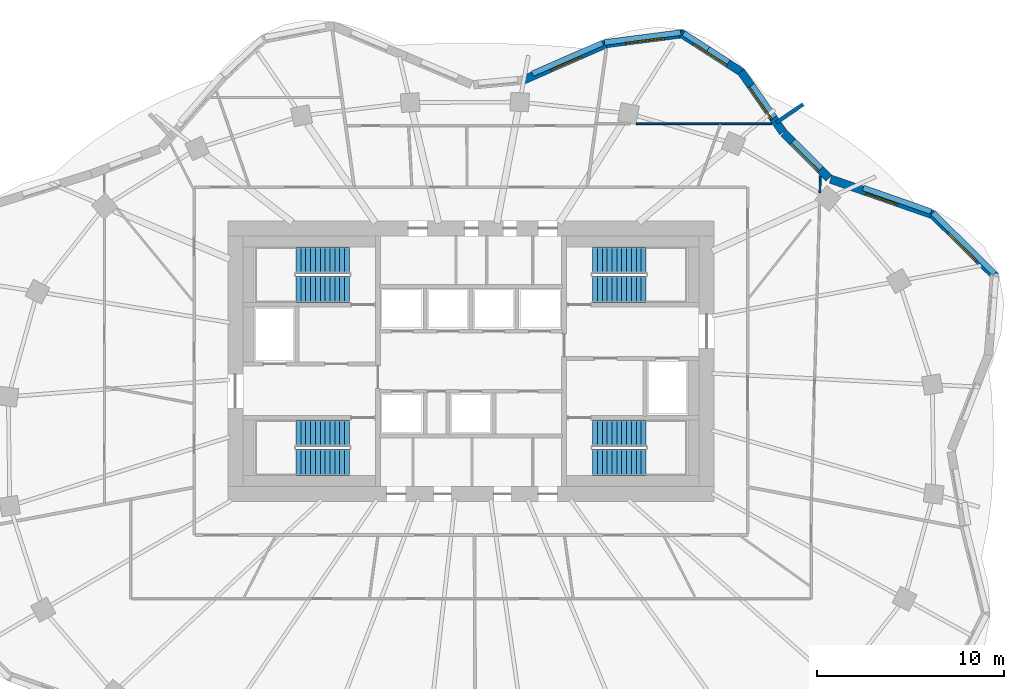
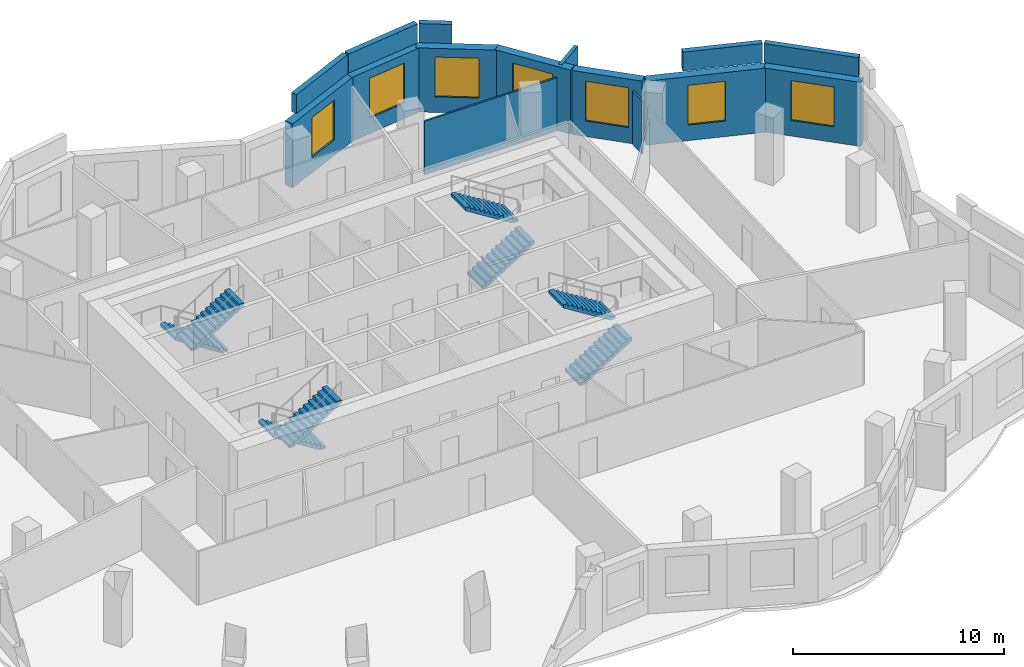
# One storey, part 8 of 9: 15 walls, 8 stair flights, 7 windows, 7 openings, 4 elements without a shape of their own.
"""IFC4 building model written with IfcOpenShell, lengths in metres."""

import ifcopenshell
import ifcopenshell.guid

model = None  # the IFC model being written
_history = None  # IfcOwnerHistory: only IFC2X3 demands one
_inside = {}  # id of a spatial element -> (the spatial element, [elements in it])
_under = {}  # id of a project, library or spatial element -> (it, [spatial elements below it])
_declared = {}  # id of a project -> (the project, [libraries it declares])
_typed = {}  # id of a type object -> (the type object, [elements of that type])
_made_of = {}  # id of a material, layer set ... -> (it, [elements and type objects made of it])


def new_model(schema):
    """Start an empty IFC model of exactly this schema.

    Asked for "IFC4X3", IfcOpenShell would pick the latest addendum, in which some entities
    have other attributes; the version numbers below select the first issue.
    IFC2X3 requires an IfcOwnerHistory on every rooted entity: one is made here for all.
    """
    global model, _history
    if schema == "IFC4X3":
        model = ifcopenshell.file(schema_version=(4, 3, 0, 0))
    else:
        model = ifcopenshell.file(schema=schema)
    _inside.clear()
    _under.clear()
    _declared.clear()
    _typed.clear()
    _made_of.clear()
    _history = None
    if model.schema == "IFC2X3":
        org = make("IfcOrganization", Name="unknown")
        user = make(
            "IfcPersonAndOrganization",
            ThePerson=make("IfcPerson", FamilyName="unknown"),
            TheOrganization=org,
        )
        app = make(
            "IfcApplication",
            ApplicationDeveloper=org,
            Version="unknown",
            ApplicationFullName="unknown",
            ApplicationIdentifier="unknown",
        )
        _history = make(
            "IfcOwnerHistory",
            OwningUser=user,
            OwningApplication=app,
            ChangeAction="ADDED",
            CreationDate=0,
        )
    return model


def make(cls, **values):
    """One entity of the class cls with the attributes given. An attribute that is None is left unset."""
    return model.create_entity(
        cls, **{name: value for name, value in values.items() if value is not None}
    )


def rooted(cls, **values):
    """An entity with a GlobalId (a new one), such as an element, a storey or a relation."""
    return make(cls, GlobalId=ifcopenshell.guid.new(), OwnerHistory=_history, **values)


def si_unit(unit_type, name, prefix=None):
    """IfcSIUnit, for example si_unit("LENGTHUNIT", "METRE", prefix="MILLI")."""
    return make("IfcSIUnit", UnitType=unit_type, Prefix=prefix, Name=name)


def assignment(units):
    """IfcUnitAssignment: the units of a project."""
    return None if units is None else make("IfcUnitAssignment", Units=units)


def point(xyz):
    """IfcCartesianPoint."""
    return None if xyz is None else make("IfcCartesianPoint", Coordinates=xyz)


def direction(xyz):
    """IfcDirection."""
    return None if xyz is None else make("IfcDirection", DirectionRatios=xyz)


def frame(location, z_axis=None, x_axis=None):
    """IfcAxis2Placement3D, a coordinate frame: its origin and axes. An axis left out is left unset."""
    return make(
        "IfcAxis2Placement3D",
        Location=point(location),
        Axis=direction(z_axis),
        RefDirection=direction(x_axis),
    )


def frame_2d(location, x_axis=None):
    """IfcAxis2Placement2D, a coordinate frame in the plane: its origin and x axis."""
    return make(
        "IfcAxis2Placement2D", Location=point(location), RefDirection=direction(x_axis)
    )


def origin():
    """The frame at (0, 0, 0) with its axes left unset."""
    return frame((0.0, 0.0, 0.0))


def place(relative_to, where):
    """IfcLocalPlacement: puts the frame where relative to a parent placement (None: the world)."""
    return make(
        "IfcLocalPlacement", PlacementRelTo=relative_to, RelativePlacement=where
    )


def context(
    kind, dimensions, precision=None, world=None, true_north=None, identifier=None
):
    """IfcGeometricRepresentationContext, for example the 3D "Model" context."""
    return make(
        "IfcGeometricRepresentationContext",
        ContextIdentifier=identifier,
        ContextType=kind,
        CoordinateSpaceDimension=dimensions,
        Precision=precision,
        WorldCoordinateSystem=world,
        TrueNorth=true_north,
    )


def subcontext(parent, identifier, kind, view, scale=None):
    """IfcGeometricRepresentationSubContext, for example "Body" below "Model"."""
    return make(
        "IfcGeometricRepresentationSubContext",
        ContextIdentifier=identifier,
        ContextType=kind,
        ParentContext=parent,
        TargetScale=scale,
        TargetView=view,
    )


def project(units=None, contexts=None):
    """IfcProject with its units and contexts."""
    return rooted(
        "IfcProject",
        Name="project",
        RepresentationContexts=contexts,
        UnitsInContext=assignment(units),
    )


def spatial(cls, under=None, at=None, **own):
    """A site, building, storey or space (cls), placed at a placement, below another one or the project."""
    s = rooted(cls, ObjectPlacement=at, **own)
    if under is not None:
        _under.setdefault(under.id(), (under, []))[1].append(s)
    return s


def polyline(points):
    """IfcPolyline through the points."""
    return make("IfcPolyline", Points=[point(p) for p in points])


def profile(cls, at=None, kind="AREA", **sizes):
    """A parametric profile (cls). Its sizes go by their IFC names, for example OverallWidth=200.0."""
    return make(cls, ProfileType=kind, Position=at, **sizes)


def rectangle(**sizes):
    """IfcRectangleProfileDef."""
    return profile("IfcRectangleProfileDef", **sizes)


def outline(outer, holes=None, kind="AREA"):
    """IfcArbitraryClosedProfileDef: a profile drawn as a closed curve; with holes, ...WithVoids."""
    if holes is None:
        return make("IfcArbitraryClosedProfileDef", ProfileType=kind, OuterCurve=outer)
    return make(
        "IfcArbitraryProfileDefWithVoids",
        ProfileType=kind,
        OuterCurve=outer,
        InnerCurves=holes,
    )


def extrude(swept, where, along, depth):
    """IfcExtrudedAreaSolid: the profile swept, set in the frame where, extruded along a direction by depth."""
    return make(
        "IfcExtrudedAreaSolid",
        SweptArea=swept,
        Position=where,
        ExtrudedDirection=direction(along),
        Depth=depth,
    )


def shape(context_of_items, identifier, shape_type, items):
    """IfcShapeRepresentation: the items that make up one representation, for example the "Body"."""
    return make(
        "IfcShapeRepresentation",
        ContextOfItems=context_of_items,
        RepresentationIdentifier=identifier,
        RepresentationType=shape_type,
        Items=items,
    )


def material(Name=None, Category=None):
    """IfcMaterial."""
    return make("IfcMaterial", Name=Name, Category=Category)


def layer(
    of_material, thickness, ventilated=None, Name=None, Category=None, Priority=None
):
    """IfcMaterialLayer: one layer of a wall or slab, of a material (None: an air gap)."""
    return make(
        "IfcMaterialLayer",
        Material=of_material,
        LayerThickness=thickness,
        IsVentilated=ventilated,
        Name=Name,
        Category=Category,
        Priority=Priority,
    )


def layer_set(layers, Name=None):
    """IfcMaterialLayerSet."""
    return make("IfcMaterialLayerSet", MaterialLayers=layers, LayerSetName=Name)


def made_of(thing, what):
    """Note that an element or type object is made of a material, layer set ...; save() writes the relation."""
    if what is not None:
        _made_of.setdefault(what.id(), (what, []))[1].append(thing)
    return thing


def type_object(cls, material=None, **own):
    """A type object (cls), such as IfcWallType, which elements share."""
    return made_of(rooted(cls, **own), material)


def element(
    cls,
    number,
    at=None,
    inside=None,
    cuts=None,
    type_object=None,
    material=None,
    context=None,
    identifier="Body",
    shape_type=None,
    held_by="IfcProductDefinitionShape",
    body=None,
    shapes=None,
    **own,
):
    """One element of the class cls, such as IfcWall. Its Tag is "e" and its number.

    at: its placement. inside: the storey or other place that contains it. cuts: it is an
    opening in that element (IfcRelVoidsElement). A single representation is given by context,
    identifier, shape_type and body (its items); several are given by shapes. held_by: the class
    of the entity that holds the representations. save() writes the other relations.
    """
    e = rooted(cls, Tag="e%d" % number, ObjectPlacement=at, **own)
    if body is not None:
        shapes = [shape(context, identifier, shape_type, body)]
    if shapes is not None:
        e.Representation = make(held_by, Representations=shapes)
    if inside is not None:
        _inside.setdefault(inside.id(), (inside, []))[1].append(e)
    if cuts is not None:
        rooted(
            "IfcRelVoidsElement", RelatingBuildingElement=cuts, RelatedOpeningElement=e
        )
    if type_object is not None:
        _typed.setdefault(type_object.id(), (type_object, []))[1].append(e)
    return made_of(e, material)


def fill(opening, filler):
    """IfcRelFillsElement: the door or window that sits in an opening."""
    return rooted(
        "IfcRelFillsElement",
        RelatingOpeningElement=opening,
        RelatedBuildingElement=filler,
    )


def aggregate(whole, parts):
    """IfcRelAggregates: a whole, such as a stair, and the parts it consists of."""
    return rooted("IfcRelAggregates", RelatingObject=whole, RelatedObjects=parts)


def save(model, path):
    """Write the relations noted so far, then the file.

    IfcRelAggregates (storeys below a building ...), IfcRelContainedInSpatialStructure (elements
    in a storey), IfcRelDefinesByType, IfcRelAssociatesMaterial and IfcRelDeclares: one each for
    every whole, place, type object, material and project.
    """
    for whole, parts in _under.values():
        aggregate(whole, parts)
    for where, things in _inside.values():
        rooted(
            "IfcRelContainedInSpatialStructure",
            RelatedElements=things,
            RelatingStructure=where,
        )
    for kind, things in _typed.values():
        rooted("IfcRelDefinesByType", RelatedObjects=things, RelatingType=kind)
    for what, things in _made_of.values():
        rooted("IfcRelAssociatesMaterial", RelatedObjects=things, RelatingMaterial=what)
    for by, libraries in _declared.values():
        rooted("IfcRelDeclares", RelatingContext=by, RelatedDefinitions=libraries)
    model.write(path)


model = new_model("IFC4")

# Units and contexts
model_context = context("Model", 3, precision=1e-05, world=origin(), true_north=direction((0.0, 1.0)))
body_context = subcontext(model_context, "Body", "Model", "MODEL_VIEW")
ifc_project = project(units=[si_unit("LENGTHUNIT", "METRE"), si_unit("AREAUNIT", "SQUARE_METRE"), si_unit("VOLUMEUNIT", "CUBIC_METRE"), si_unit("PLANEANGLEUNIT", "RADIAN"), si_unit("MASSUNIT", "GRAM", prefix="KILO")], contexts=[model_context])

# Site, building, storey
site_placement = place(None, origin())
site = spatial("IfcSite", under=ifc_project, at=site_placement, CompositionType="ELEMENT")
building_placement = place(site_placement, origin())
building = spatial("IfcBuilding", under=site, at=building_placement, Name="Rubra Terraces Tower", CompositionType="ELEMENT")
storey_placement = place(building_placement, frame((0.0, 0.0, 221.39990234375)))
storey = spatial("IfcBuildingStorey", under=building, at=storey_placement, Name="L54", CompositionType="ELEMENT", Elevation=221.39990234375)

# Wall, opening, window
ifc_material_1 = material(Name="Brick masonry red-brown", Category="masonry")
ifc_layer_1 = layer(ifc_material_1, 0.449951171875)
ifc_layer_set_1 = layer_set([ifc_layer_1], Name="Brick masonry red-brown")
wall_type_1 = type_object("IfcWallType", Name="Brick facade wall 450", PredefinedType="SOLIDWALL", material=ifc_layer_set_1)
wall_1_placement = place(storey_placement, frame((28.06787109375, 9.010986328125, 0.0), z_axis=(0.0, 0.0, 1.0), x_axis=(-0.711293453435, 0.702895172199, 0.0)))
wall_1 = element("IfcWall", 1, at=wall_1_placement, inside=storey, type_object=wall_type_1, Name="Facade wall L54 bay 3", PredefinedType="SOLIDWALL", context=body_context, shape_type="SweptSolid", body=[
    extrude(rectangle(XDim=4.767578125, YDim=0.449951171875, at=frame_2d((2.3837890625, 0.0))), origin(), (0.0, 0.0, 1.0), 3.7001953125),
])
opening_1_placement = place(wall_1_placement, frame((1.333740234375, 0.0, 0.89990234375)))
opening_1 = element("IfcOpeningElement", 2, at=opening_1_placement, cuts=wall_1, Name="Opening W1B", PredefinedType="OPENING", context=body_context, shape_type="SweptSolid", body=[
    extrude(rectangle(XDim=2.10009765625, YDim=2.300048828125, at=frame_2d((1.050048828125, 1.14990234375))), frame((0.0, 0.23486328125, 0.0), z_axis=(0.0, -1.0, 0.0), x_axis=(1.0, 0.0, 0.0)), (0.0, 0.0, 1.0), 0.469970703125),
])
ifc_material_2 = material(Name="Clear glass in aluminium frame", Category="aluminium")
window_type_1 = type_object("IfcWindowType", Name="Fixed deep-set window tall storey 2100 x 2300", PartitioningType="SINGLE_PANEL", PredefinedType="WINDOW", material=ifc_material_2)
window_1_placement = place(opening_1_placement, origin())
window_1 = element("IfcWindow", 3, at=window_1_placement, inside=storey, type_object=window_type_1, Name="Window L54 bay 3", OverallHeight=2.300048828125, OverallWidth=2.10009765625, PartitioningType="SINGLE_PANEL", PredefinedType="WINDOW", context=body_context, shape_type="SweptSolid", body=[
    extrude(rectangle(XDim=2.10009765625, YDim=2.300048828125, at=frame_2d((1.050048828125, 1.14990234375))), frame((0.0, 0.135009765625, 0.0), z_axis=(0.0, -1.0, 0.0), x_axis=(1.0, 0.0, 0.0)), (0.0, 0.0, 1.0), 0.06005859375),
])
fill(opening_1, window_1)

wall_2_placement = place(storey_placement, frame((24.760986328125, 12.309814453125, 0.0), z_axis=(0.0, 0.0, 1.0), x_axis=(-0.944397305248, 0.328806523414, 0.0)))
wall_2 = element("IfcWall", 4, at=wall_2_placement, inside=storey, type_object=wall_type_1, Name="Facade wall L54 bay 4", PredefinedType="SOLIDWALL", context=body_context, shape_type="SweptSolid", body=[
    extrude(rectangle(XDim=5.862060546875, YDim=0.449951171875, at=frame_2d((2.93115234375, 0.0))), origin(), (0.0, 0.0, 1.0), 3.7001953125),
])
opening_2_placement = place(wall_2_placement, frame((2.031005859375, 0.0, 0.89990234375)))
opening_2 = element("IfcOpeningElement", 5, at=opening_2_placement, cuts=wall_2, Name="Opening W6B", PredefinedType="OPENING", context=body_context, shape_type="SweptSolid", body=[
    extrude(rectangle(XDim=1.800048828125, YDim=2.300048828125, at=frame_2d((0.89990234375, 1.14990234375))), frame((0.0, 0.23486328125, 0.0), z_axis=(0.0, -1.0, 0.0), x_axis=(1.0, 0.0, 0.0)), (0.0, 0.0, 1.0), 0.469970703125),
])
window_type_2 = type_object("IfcWindowType", Name="Fixed deep-set window at wind fin tall storey 1800 x 2300", PartitioningType="SINGLE_PANEL", PredefinedType="WINDOW", material=ifc_material_2)
window_2_placement = place(opening_2_placement, origin())
window_2 = element("IfcWindow", 6, at=window_2_placement, inside=storey, type_object=window_type_2, Name="Window L54 bay 4", OverallHeight=2.300048828125, OverallWidth=1.800048828125, PartitioningType="SINGLE_PANEL", PredefinedType="WINDOW", context=body_context, shape_type="SweptSolid", body=[
    extrude(rectangle(XDim=1.800048828125, YDim=2.300048828125, at=frame_2d((0.89990234375, 1.14990234375))), frame((0.0, 0.135009765625, 0.0), z_axis=(0.0, -1.0, 0.0), x_axis=(1.0, 0.0, 0.0)), (0.0, 0.0, 1.0), 0.06005859375),
])
fill(opening_2, window_2)

wall_3_placement = place(storey_placement, frame((19.145263671875, 14.285400390625, 0.0), z_axis=(0.0, 0.0, 1.0), x_axis=(-0.707427521052, 0.706785895769, 0.0)))
wall_3 = element("IfcWall", 7, at=wall_3_placement, inside=storey, type_object=wall_type_1, Name="Facade wall L54 bay 5", PredefinedType="SOLIDWALL", context=body_context, shape_type="SweptSolid", body=[
    extrude(rectangle(XDim=3.424560546875, YDim=0.449951171875, at=frame_2d((1.71240234375, 0.0))), origin(), (0.0, 0.0, 1.0), 3.7001953125),
])
opening_3_placement = place(wall_3_placement, frame((0.662353515625, 0.0, 0.89990234375)))
opening_3 = element("IfcOpeningElement", 8, at=opening_3_placement, cuts=wall_3, Name="Opening W1B", PredefinedType="OPENING", context=body_context, shape_type="SweptSolid", body=[
    extrude(rectangle(XDim=2.10009765625, YDim=2.300048828125, at=frame_2d((1.050048828125, 1.14990234375))), frame((0.0, 0.23486328125, 0.0), z_axis=(0.0, -1.0, 0.0), x_axis=(1.0, 0.0, 0.0)), (0.0, 0.0, 1.0), 0.469970703125),
])
window_3_placement = place(opening_3_placement, origin())
window_3 = element("IfcWindow", 9, at=window_3_placement, inside=storey, type_object=window_type_1, Name="Window L54 bay 5", OverallHeight=2.300048828125, OverallWidth=2.10009765625, PartitioningType="SINGLE_PANEL", PredefinedType="WINDOW", context=body_context, shape_type="SweptSolid", body=[
    extrude(rectangle(XDim=2.10009765625, YDim=2.300048828125, at=frame_2d((1.050048828125, 1.14990234375))), frame((0.0, 0.135009765625, 0.0), z_axis=(0.0, -1.0, 0.0), x_axis=(1.0, 0.0, 0.0)), (0.0, 0.0, 1.0), 0.06005859375),
])
fill(opening_3, window_3)

wall_4_placement = place(storey_placement, frame((16.695068359375, 16.73681640625, 0.0), z_axis=(0.0, 0.0, 1.0), x_axis=(-0.569652445465, 0.821885692402, 0.0)))
wall_4 = element("IfcWall", 10, at=wall_4_placement, inside=storey, type_object=wall_type_1, Name="Facade wall L54 bay 6", PredefinedType="SOLIDWALL", context=body_context, shape_type="SweptSolid", body=[
    extrude(rectangle(XDim=3.958740234375, YDim=0.449951171875, at=frame_2d((1.9794921875, 0.0))), origin(), (0.0, 0.0, 1.0), 3.7001953125),
])
opening_4_placement = place(wall_4_placement, frame((0.929443359375, 0.0, 0.89990234375)))
opening_4 = element("IfcOpeningElement", 11, at=opening_4_placement, cuts=wall_4, Name="Opening W1B", PredefinedType="OPENING", context=body_context, shape_type="SweptSolid", body=[
    extrude(rectangle(XDim=2.10009765625, YDim=2.300048828125, at=frame_2d((1.050048828125, 1.14990234375))), frame((0.0, 0.23486328125, 0.0), z_axis=(0.0, -1.0, 0.0), x_axis=(1.0, 0.0, 0.0)), (0.0, 0.0, 1.0), 0.469970703125),
])
window_4_placement = place(opening_4_placement, origin())
window_4 = element("IfcWindow", 12, at=window_4_placement, inside=storey, type_object=window_type_1, Name="Window L54 bay 6", OverallHeight=2.300048828125, OverallWidth=2.10009765625, PartitioningType="SINGLE_PANEL", PredefinedType="WINDOW", context=body_context, shape_type="SweptSolid", body=[
    extrude(rectangle(XDim=2.10009765625, YDim=2.300048828125, at=frame_2d((1.050048828125, 1.14990234375))), frame((0.0, 0.135009765625, 0.0), z_axis=(0.0, -1.0, 0.0), x_axis=(1.0, 0.0, 0.0)), (0.0, 0.0, 1.0), 0.06005859375),
])
fill(opening_4, window_4)

wall_5_placement = place(storey_placement, frame((14.499267578125, 19.934814453125, 0.0), z_axis=(0.0, 0.0, 1.0), x_axis=(-0.84080910763, 0.541331732422, 0.0)))
wall_5 = element("IfcWall", 13, at=wall_5_placement, inside=storey, type_object=wall_type_1, Name="Facade wall L54 bay 7", PredefinedType="SOLIDWALL", context=body_context, shape_type="SweptSolid", body=[
    extrude(rectangle(XDim=3.91064453125, YDim=0.449951171875, at=frame_2d((1.955322265625, 0.0))), origin(), (0.0, 0.0, 1.0), 3.7001953125),
])
opening_5_placement = place(wall_5_placement, frame((0.9052734375, 0.0, 0.89990234375)))
opening_5 = element("IfcOpeningElement", 14, at=opening_5_placement, cuts=wall_5, Name="Opening W1B", PredefinedType="OPENING", context=body_context, shape_type="SweptSolid", body=[
    extrude(rectangle(XDim=2.10009765625, YDim=2.300048828125, at=frame_2d((1.050048828125, 1.14990234375))), frame((0.0, 0.23486328125, 0.0), z_axis=(0.0, -1.0, 0.0), x_axis=(1.0, 0.0, 0.0)), (0.0, 0.0, 1.0), 0.469970703125),
])
window_5_placement = place(opening_5_placement, origin())
window_5 = element("IfcWindow", 15, at=window_5_placement, inside=storey, type_object=window_type_1, Name="Window L54 bay 7", OverallHeight=2.300048828125, OverallWidth=2.10009765625, PartitioningType="SINGLE_PANEL", PredefinedType="WINDOW", context=body_context, shape_type="SweptSolid", body=[
    extrude(rectangle(XDim=2.10009765625, YDim=2.300048828125, at=frame_2d((1.050048828125, 1.14990234375))), frame((0.0, 0.135009765625, 0.0), z_axis=(0.0, -1.0, 0.0), x_axis=(1.0, 0.0, 0.0)), (0.0, 0.0, 1.0), 0.06005859375),
])
fill(opening_5, window_5)

wall_6_placement = place(storey_placement, frame((11.36181640625, 22.017822265625, 0.0), z_axis=(0.0, 0.0, 1.0), x_axis=(-0.991724958022, -0.128380713645, 0.0)))
wall_6 = element("IfcWall", 16, at=wall_6_placement, inside=storey, type_object=wall_type_1, Name="Facade wall L54 bay 8", PredefinedType="SOLIDWALL", context=body_context, shape_type="SweptSolid", body=[
    extrude(rectangle(XDim=4.181884765625, YDim=0.449951171875, at=frame_2d((2.0908203125, 0.0))), origin(), (0.0, 0.0, 1.0), 3.7001953125),
])
opening_6_placement = place(wall_6_placement, frame((1.041015625, 0.0, 0.89990234375)))
opening_6 = element("IfcOpeningElement", 17, at=opening_6_placement, cuts=wall_6, Name="Opening W1B", PredefinedType="OPENING", context=body_context, shape_type="SweptSolid", body=[
    extrude(rectangle(XDim=2.10009765625, YDim=2.300048828125, at=frame_2d((1.050048828125, 1.14990234375))), frame((0.0, 0.23486328125, 0.0), z_axis=(0.0, -1.0, 0.0), x_axis=(1.0, 0.0, 0.0)), (0.0, 0.0, 1.0), 0.469970703125),
])
window_6_placement = place(opening_6_placement, origin())
window_6 = element("IfcWindow", 18, at=window_6_placement, inside=storey, type_object=window_type_1, Name="Window L54 bay 8", OverallHeight=2.300048828125, OverallWidth=2.10009765625, PartitioningType="SINGLE_PANEL", PredefinedType="WINDOW", context=body_context, shape_type="SweptSolid", body=[
    extrude(rectangle(XDim=2.10009765625, YDim=2.300048828125, at=frame_2d((1.050048828125, 1.14990234375))), frame((0.0, 0.135009765625, 0.0), z_axis=(0.0, -1.0, 0.0), x_axis=(1.0, 0.0, 0.0)), (0.0, 0.0, 1.0), 0.06005859375),
])
fill(opening_6, window_6)

wall_7_placement = place(storey_placement, frame((7.27587890625, 21.498046875, 0.0), z_axis=(0.0, 0.0, 1.0), x_axis=(-0.915872941312, -0.401468249519, 0.0)))
wall_7 = element("IfcWall", 19, at=wall_7_placement, inside=storey, type_object=wall_type_1, Name="Facade wall L54 bay 9", PredefinedType="SOLIDWALL", context=body_context, shape_type="SweptSolid", body=[
    extrude(rectangle(XDim=4.870361328125, YDim=0.449951171875, at=frame_2d((2.43505859375, 0.0))), origin(), (0.0, 0.0, 1.0), 3.7001953125),
])
opening_7_placement = place(wall_7_placement, frame((1.535400390625, 0.0, 0.89990234375)))
opening_7 = element("IfcOpeningElement", 20, at=opening_7_placement, cuts=wall_7, Name="Opening W6B", PredefinedType="OPENING", context=body_context, shape_type="SweptSolid", body=[
    extrude(rectangle(XDim=1.800048828125, YDim=2.300048828125, at=frame_2d((0.89990234375, 1.14990234375))), frame((0.0, 0.23486328125, 0.0), z_axis=(0.0, -1.0, 0.0), x_axis=(1.0, 0.0, 0.0)), (0.0, 0.0, 1.0), 0.469970703125),
])
window_7_placement = place(opening_7_placement, origin())
window_7 = element("IfcWindow", 21, at=window_7_placement, inside=storey, type_object=window_type_2, Name="Window L54 bay 9", OverallHeight=2.300048828125, OverallWidth=1.800048828125, PartitioningType="SINGLE_PANEL", PredefinedType="WINDOW", context=body_context, shape_type="SweptSolid", body=[
    extrude(rectangle(XDim=1.800048828125, YDim=2.300048828125, at=frame_2d((0.89990234375, 1.14990234375))), frame((0.0, 0.135009765625, 0.0), z_axis=(0.0, -1.0, 0.0), x_axis=(1.0, 0.0, 0.0)), (0.0, 0.0, 1.0), 0.06005859375),
])
fill(opening_7, window_7)

# Walls
ifc_layer_2 = layer(ifc_material_1, 0.300048828125)
ifc_layer_set_2 = layer_set([ifc_layer_2], Name="Brick masonry red-brown")
wall_type_2 = type_object("IfcWallType", Name="Brick parapet 300", PredefinedType="PARAPET", material=ifc_layer_set_2)
wall_8_placement = place(storey_placement, frame((28.00048828125, 9.18310546875, 3.900146484375), z_axis=(0.0, 0.0, 1.0), x_axis=(-0.711291435321, 0.702897214419, 0.0)))
element("IfcWall", 22, at=wall_8_placement, inside=storey, type_object=wall_type_2, Name="Parapet L54 bay 3", PredefinedType="PARAPET", context=body_context, shape_type="SweptSolid", body=[
    extrude(rectangle(XDim=4.62451171875, YDim=0.300048828125, at=frame_2d((2.312255859375, 0.0))), origin(), (0.0, 0.0, 1.0), 1.099853515625),
])
wall_9_placement = place(storey_placement, frame((24.605224609375, 12.49951171875, 3.900146484375), z_axis=(0.0, 0.0, 1.0), x_axis=(-0.944373295981, 0.328875474668, 0.0)))
element("IfcWall", 23, at=wall_9_placement, inside=storey, type_object=wall_type_2, Name="Parapet L54 bay 4", PredefinedType="PARAPET", context=body_context, shape_type="SweptSolid", body=[
    extrude(rectangle(XDim=3.84228515625, YDim=0.300048828125, at=frame_2d((1.921142578125, 0.0))), origin(), (0.0, 0.0, 1.0), 1.099853515625),
])
wall_10_placement = place(storey_placement, frame((12.680419921875, 21.195068359375, 3.900146484375), z_axis=(0.0, 0.0, 1.0), x_axis=(-0.840806975541, 0.541335044018, 0.0)))
element("IfcWall", 24, at=wall_10_placement, inside=storey, type_object=wall_type_2, Name="Parapet L54 bay 7", PredefinedType="PARAPET", context=body_context, shape_type="SweptSolid", body=[
    extrude(rectangle(XDim=1.5595703125, YDim=0.300048828125, at=frame_2d((0.77978515625, 0.0))), origin(), (0.0, 0.0, 1.0), 1.099853515625),
])
wall_11_placement = place(storey_placement, frame((11.2138671875, 22.07421875, 3.900146484375), z_axis=(0.0, 0.0, 1.0), x_axis=(-0.991727449614, -0.128361464939, 0.0)))
element("IfcWall", 25, at=wall_11_placement, inside=storey, type_object=wall_type_2, Name="Parapet L54 bay 8", PredefinedType="PARAPET", context=body_context, shape_type="SweptSolid", body=[
    extrude(rectangle(XDim=4.110107421875, YDim=0.300048828125, at=frame_2d((2.05517578125, 0.0))), origin(), (0.0, 0.0, 1.0), 1.099853515625),
])
wall_12_placement = place(storey_placement, frame((7.039306640625, 21.519287109375, 3.900146484375), z_axis=(0.0, 0.0, 1.0), x_axis=(-0.915890739732, -0.401427643384, 0.0)))
element("IfcWall", 26, at=wall_12_placement, inside=storey, type_object=wall_type_2, Name="Parapet L54 bay 9", PredefinedType="PARAPET", context=body_context, shape_type="SweptSolid", body=[
    extrude(rectangle(XDim=4.1015625, YDim=0.300048828125, at=frame_2d((2.05078125, 0.0))), origin(), (0.0, 0.0, 1.0), 1.099853515625),
])
ifc_layer_3 = layer(ifc_material_1, 0.199951171875)
ifc_layer_set_3 = layer_set([ifc_layer_3], Name="Brick masonry red-brown")
wall_type_3 = type_object("IfcWallType", Name="Brick wind fin 200", PredefinedType="SOLIDWALL", material=ifc_layer_set_3)
wall_13_placement = place(storey_placement, frame((16.322021484375, 17.2529296875, 0.0), z_axis=(0.0, 0.0, 1.0), x_axis=(0.824440606412, 0.565948483962, 0.0)))
element("IfcWall", 27, at=wall_13_placement, inside=storey, type_object=wall_type_3, Name="Wind fin L54 4", PredefinedType="SOLIDWALL", context=body_context, shape_type="SweptSolid", body=[
    extrude(rectangle(XDim=1.75, YDim=0.199951171875, at=frame_2d((0.875, 0.0))), origin(), (0.0, 0.0, 1.0), 3.7001953125),
])
ifc_material_3 = material(Name="Plasterboard on steel stud", Category="steel")
ifc_layer_4 = layer(ifc_material_3, 0.10009765625)
ifc_layer_set_4 = layer_set([ifc_layer_4], Name="Plasterboard on steel stud")
wall_type_4 = type_object("IfcWallType", Name="ROOM PARTITION 100", PredefinedType="PARTITIONING", material=ifc_layer_set_4)
wall_14_placement = place(storey_placement, frame((8.84521484375, 17.199951171875, 0.0), z_axis=(0.0, 0.0, 1.0), x_axis=(1.0, 0.0, 0.0)))
element("IfcWall", 28, at=wall_14_placement, inside=storey, type_object=wall_type_4, Name="PARTITION", PredefinedType="PARTITIONING", context=body_context, shape_type="SweptSolid", body=[
    extrude(rectangle(XDim=7.23095703125, YDim=0.10009765625, at=frame_2d((3.615478515625, 0.0))), origin(), (0.0, 0.0, 1.0), 3.083984375),
])
wall_15_placement = place(storey_placement, frame((18.6806640625, 14.403564453125, 0.0), z_axis=(0.0, 0.0, 1.0), x_axis=(-0.027737168864, -0.999615250716, 0.0)))
element("IfcWall", 29, at=wall_15_placement, inside=storey, type_object=wall_type_4, Name="PARTITION", PredefinedType="PARTITIONING", context=body_context, shape_type="SweptSolid", body=[
    extrude(rectangle(XDim=0.906494140625, YDim=0.10009765625, at=frame_2d((0.453125, 0.0))), origin(), (0.0, 0.0, 1.0), 3.083984375),
])

# Stair, stair flights
ifc_material_4 = material(Name="Concrete C40", Category="concrete")
stair_type = type_object("IfcStairType", Name="Core stair 1400", PredefinedType="HALF_TURN_STAIR", material=ifc_material_4)
stair_1_placement = place(storey_placement, origin())
stair_1 = element("IfcStair", 30, at=stair_1_placement, inside=storey, type_object=stair_type, Name="L54 Exit stair S1", PredefinedType="HALF_TURN_STAIR")
stair_flight_type = type_object("IfcStairFlightType", Name="Core stair flight 1400", PredefinedType="STRAIGHT", material=ifc_material_4)
stair_flight_1_placement = place(storey_placement, frame((-6.5, 0.64990234375, 0.0), z_axis=(0.0, 0.0, 1.0), x_axis=(-1.0, 0.0, 0.0)))
stair_flight_1 = element("IfcStairFlight", 31, at=stair_flight_1_placement, type_object=stair_flight_type, Name="S1 flight 1", NumberOfRisers=12, NumberOfTreads=11, PredefinedType="STRAIGHT", RiserHeight=0.1625, TreadLength=0.26, context=body_context, shape_type="SweptSolid", body=[
    extrude(outline(polyline([(0.0, 0.0), (0.0, 0.16259765625), (0.260009765625, 0.16259765625), (0.260009765625, 0.324951171875), (0.52001953125, 0.324951171875), (0.52001953125, 0.487548828125), (0.780029296875, 0.487548828125), (0.780029296875, 0.64990234375), (1.0400390625, 0.64990234375), (1.0400390625, 0.8125), (1.300048828125, 0.8125), (1.300048828125, 0.97509765625), (1.56005859375, 0.97509765625), (1.56005859375, 1.137451171875), (1.820068359375, 1.137451171875), (1.820068359375, 1.300048828125), (2.080078125, 1.300048828125), (2.080078125, 1.46240234375), (2.340087890625, 1.46240234375), (2.340087890625, 1.625), (2.60009765625, 1.625), (2.60009765625, 1.78759765625), (2.860107421875, 1.78759765625), (2.860107421875, 1.949951171875), (2.860107421875, 1.61083984375), (0.28271484375, 0.0), (0.0, 0.0)])), frame((0.0, 0.699951171875, 0.0), z_axis=(0.0, -1.0, 0.0), x_axis=(1.0, 0.0, 0.0)), (0.0, 0.0, 1.0), 1.39990234375),
])
stair_flight_2_placement = place(storey_placement, frame((-9.360107421875, -0.89990234375, 1.9501953125), z_axis=(0.0, 0.0, 1.0), x_axis=(1.0, 0.0, 0.0)))
stair_flight_2 = element("IfcStairFlight", 32, at=stair_flight_2_placement, type_object=stair_flight_type, Name="S1 flight 2", NumberOfRisers=12, NumberOfTreads=11, PredefinedType="STRAIGHT", RiserHeight=0.1625, TreadLength=0.26, context=body_context, shape_type="SweptSolid", body=[
    extrude(outline(polyline([(0.0, 0.0), (0.0, 0.16259765625), (0.260009765625, 0.16259765625), (0.260009765625, 0.324951171875), (0.52001953125, 0.324951171875), (0.52001953125, 0.487548828125), (0.780029296875, 0.487548828125), (0.780029296875, 0.64990234375), (1.0400390625, 0.64990234375), (1.0400390625, 0.8125), (1.300048828125, 0.8125), (1.300048828125, 0.97509765625), (1.56005859375, 0.97509765625), (1.56005859375, 1.137451171875), (1.820068359375, 1.137451171875), (1.820068359375, 1.300048828125), (2.080078125, 1.300048828125), (2.080078125, 1.46240234375), (2.340087890625, 1.46240234375), (2.340087890625, 1.625), (2.60009765625, 1.625), (2.60009765625, 1.78759765625), (2.860107421875, 1.78759765625), (2.860107421875, 1.949951171875), (2.860107421875, 1.61083984375), (0.28271484375, 0.0), (0.0, 0.0)])), frame((0.0, 0.699951171875, 0.0), z_axis=(0.0, -1.0, 0.0), x_axis=(1.0, 0.0, 0.0)), (0.0, 0.0, 1.0), 1.39990234375),
])
aggregate(stair_1, [stair_flight_1, stair_flight_2])

stair_2_placement = place(storey_placement, origin())
stair_2 = element("IfcStair", 33, at=stair_2_placement, inside=storey, type_object=stair_type, Name="L54 Exit stair S2", PredefinedType="HALF_TURN_STAIR")
stair_flight_3_placement = place(storey_placement, frame((-6.5, 9.89990234375, 0.0), z_axis=(0.0, 0.0, 1.0), x_axis=(-1.0, 0.0, 0.0)))
stair_flight_3 = element("IfcStairFlight", 34, at=stair_flight_3_placement, type_object=stair_flight_type, Name="S2 flight 1", NumberOfRisers=12, NumberOfTreads=11, PredefinedType="STRAIGHT", RiserHeight=0.1625, TreadLength=0.26, context=body_context, shape_type="SweptSolid", body=[
    extrude(outline(polyline([(0.0, 0.0), (0.0, 0.16259765625), (0.260009765625, 0.16259765625), (0.260009765625, 0.324951171875), (0.52001953125, 0.324951171875), (0.52001953125, 0.487548828125), (0.780029296875, 0.487548828125), (0.780029296875, 0.64990234375), (1.0400390625, 0.64990234375), (1.0400390625, 0.8125), (1.300048828125, 0.8125), (1.300048828125, 0.97509765625), (1.56005859375, 0.97509765625), (1.56005859375, 1.137451171875), (1.820068359375, 1.137451171875), (1.820068359375, 1.300048828125), (2.080078125, 1.300048828125), (2.080078125, 1.46240234375), (2.340087890625, 1.46240234375), (2.340087890625, 1.625), (2.60009765625, 1.625), (2.60009765625, 1.78759765625), (2.860107421875, 1.78759765625), (2.860107421875, 1.949951171875), (2.860107421875, 1.61083984375), (0.28271484375, 0.0), (0.0, 0.0)])), frame((0.0, 0.699951171875, 0.0), z_axis=(0.0, -1.0, 0.0), x_axis=(1.0, 0.0, 0.0)), (0.0, 0.0, 1.0), 1.39990234375),
])
stair_flight_4_placement = place(storey_placement, frame((-9.360107421875, 8.35009765625, 1.9501953125), z_axis=(0.0, 0.0, 1.0), x_axis=(1.0, 0.0, 0.0)))
stair_flight_4 = element("IfcStairFlight", 35, at=stair_flight_4_placement, type_object=stair_flight_type, Name="S2 flight 2", NumberOfRisers=12, NumberOfTreads=11, PredefinedType="STRAIGHT", RiserHeight=0.1625, TreadLength=0.26, context=body_context, shape_type="SweptSolid", body=[
    extrude(outline(polyline([(0.0, 0.0), (0.0, 0.16259765625), (0.260009765625, 0.16259765625), (0.260009765625, 0.324951171875), (0.52001953125, 0.324951171875), (0.52001953125, 0.487548828125), (0.780029296875, 0.487548828125), (0.780029296875, 0.64990234375), (1.0400390625, 0.64990234375), (1.0400390625, 0.8125), (1.300048828125, 0.8125), (1.300048828125, 0.97509765625), (1.56005859375, 0.97509765625), (1.56005859375, 1.137451171875), (1.820068359375, 1.137451171875), (1.820068359375, 1.300048828125), (2.080078125, 1.300048828125), (2.080078125, 1.46240234375), (2.340087890625, 1.46240234375), (2.340087890625, 1.625), (2.60009765625, 1.625), (2.60009765625, 1.78759765625), (2.860107421875, 1.78759765625), (2.860107421875, 1.949951171875), (2.860107421875, 1.61083984375), (0.28271484375, 0.0), (0.0, 0.0)])), frame((0.0, 0.699951171875, 0.0), z_axis=(0.0, -1.0, 0.0), x_axis=(1.0, 0.0, 0.0)), (0.0, 0.0, 1.0), 1.39990234375),
])
aggregate(stair_2, [stair_flight_3, stair_flight_4])

stair_3_placement = place(storey_placement, origin())
stair_3 = element("IfcStair", 36, at=stair_3_placement, inside=storey, type_object=stair_type, Name="L54 Exit stair S3", PredefinedType="HALF_TURN_STAIR")
stair_flight_5_placement = place(storey_placement, frame((6.5, 8.35009765625, 0.0), z_axis=(0.0, 0.0, 1.0), x_axis=(1.0, 0.0, 0.0)))
stair_flight_5 = element("IfcStairFlight", 37, at=stair_flight_5_placement, type_object=stair_flight_type, Name="S3 flight 1", NumberOfRisers=12, NumberOfTreads=11, PredefinedType="STRAIGHT", RiserHeight=0.1625, TreadLength=0.26, context=body_context, shape_type="SweptSolid", body=[
    extrude(outline(polyline([(0.0, 0.0), (0.0, 0.16259765625), (0.260009765625, 0.16259765625), (0.260009765625, 0.324951171875), (0.52001953125, 0.324951171875), (0.52001953125, 0.487548828125), (0.780029296875, 0.487548828125), (0.780029296875, 0.64990234375), (1.0400390625, 0.64990234375), (1.0400390625, 0.8125), (1.300048828125, 0.8125), (1.300048828125, 0.97509765625), (1.56005859375, 0.97509765625), (1.56005859375, 1.137451171875), (1.820068359375, 1.137451171875), (1.820068359375, 1.300048828125), (2.080078125, 1.300048828125), (2.080078125, 1.46240234375), (2.340087890625, 1.46240234375), (2.340087890625, 1.625), (2.60009765625, 1.625), (2.60009765625, 1.78759765625), (2.860107421875, 1.78759765625), (2.860107421875, 1.949951171875), (2.860107421875, 1.61083984375), (0.28271484375, 0.0), (0.0, 0.0)])), frame((0.0, 0.699951171875, 0.0), z_axis=(0.0, -1.0, 0.0), x_axis=(1.0, 0.0, 0.0)), (0.0, 0.0, 1.0), 1.39990234375),
])
stair_flight_6_placement = place(storey_placement, frame((9.360107421875, 9.89990234375, 1.9501953125), z_axis=(0.0, 0.0, 1.0), x_axis=(-1.0, 0.0, 0.0)))
stair_flight_6 = element("IfcStairFlight", 38, at=stair_flight_6_placement, type_object=stair_flight_type, Name="S3 flight 2", NumberOfRisers=12, NumberOfTreads=11, PredefinedType="STRAIGHT", RiserHeight=0.1625, TreadLength=0.26, context=body_context, shape_type="SweptSolid", body=[
    extrude(outline(polyline([(0.0, 0.0), (0.0, 0.16259765625), (0.260009765625, 0.16259765625), (0.260009765625, 0.324951171875), (0.52001953125, 0.324951171875), (0.52001953125, 0.487548828125), (0.780029296875, 0.487548828125), (0.780029296875, 0.64990234375), (1.0400390625, 0.64990234375), (1.0400390625, 0.8125), (1.300048828125, 0.8125), (1.300048828125, 0.97509765625), (1.56005859375, 0.97509765625), (1.56005859375, 1.137451171875), (1.820068359375, 1.137451171875), (1.820068359375, 1.300048828125), (2.080078125, 1.300048828125), (2.080078125, 1.46240234375), (2.340087890625, 1.46240234375), (2.340087890625, 1.625), (2.60009765625, 1.625), (2.60009765625, 1.78759765625), (2.860107421875, 1.78759765625), (2.860107421875, 1.949951171875), (2.860107421875, 1.61083984375), (0.28271484375, 0.0), (0.0, 0.0)])), frame((0.0, 0.699951171875, 0.0), z_axis=(0.0, -1.0, 0.0), x_axis=(1.0, 0.0, 0.0)), (0.0, 0.0, 1.0), 1.39990234375),
])
aggregate(stair_3, [stair_flight_5, stair_flight_6])

stair_4_placement = place(storey_placement, origin())
stair_4 = element("IfcStair", 39, at=stair_4_placement, inside=storey, type_object=stair_type, Name="L54 Exit stair S4", PredefinedType="HALF_TURN_STAIR")
stair_flight_7_placement = place(storey_placement, frame((6.5, -0.89990234375, 0.0), z_axis=(0.0, 0.0, 1.0), x_axis=(1.0, 0.0, 0.0)))
stair_flight_7 = element("IfcStairFlight", 40, at=stair_flight_7_placement, type_object=stair_flight_type, Name="S4 flight 1", NumberOfRisers=12, NumberOfTreads=11, PredefinedType="STRAIGHT", RiserHeight=0.1625, TreadLength=0.26, context=body_context, shape_type="SweptSolid", body=[
    extrude(outline(polyline([(0.0, 0.0), (0.0, 0.16259765625), (0.260009765625, 0.16259765625), (0.260009765625, 0.324951171875), (0.52001953125, 0.324951171875), (0.52001953125, 0.487548828125), (0.780029296875, 0.487548828125), (0.780029296875, 0.64990234375), (1.0400390625, 0.64990234375), (1.0400390625, 0.8125), (1.300048828125, 0.8125), (1.300048828125, 0.97509765625), (1.56005859375, 0.97509765625), (1.56005859375, 1.137451171875), (1.820068359375, 1.137451171875), (1.820068359375, 1.300048828125), (2.080078125, 1.300048828125), (2.080078125, 1.46240234375), (2.340087890625, 1.46240234375), (2.340087890625, 1.625), (2.60009765625, 1.625), (2.60009765625, 1.78759765625), (2.860107421875, 1.78759765625), (2.860107421875, 1.949951171875), (2.860107421875, 1.61083984375), (0.28271484375, 0.0), (0.0, 0.0)])), frame((0.0, 0.699951171875, 0.0), z_axis=(0.0, -1.0, 0.0), x_axis=(1.0, 0.0, 0.0)), (0.0, 0.0, 1.0), 1.39990234375),
])
stair_flight_8_placement = place(storey_placement, frame((9.360107421875, 0.64990234375, 1.9501953125), z_axis=(0.0, 0.0, 1.0), x_axis=(-1.0, 0.0, 0.0)))
stair_flight_8 = element("IfcStairFlight", 41, at=stair_flight_8_placement, type_object=stair_flight_type, Name="S4 flight 2", NumberOfRisers=12, NumberOfTreads=11, PredefinedType="STRAIGHT", RiserHeight=0.1625, TreadLength=0.26, context=body_context, shape_type="SweptSolid", body=[
    extrude(outline(polyline([(0.0, 0.0), (0.0, 0.16259765625), (0.260009765625, 0.16259765625), (0.260009765625, 0.324951171875), (0.52001953125, 0.324951171875), (0.52001953125, 0.487548828125), (0.780029296875, 0.487548828125), (0.780029296875, 0.64990234375), (1.0400390625, 0.64990234375), (1.0400390625, 0.8125), (1.300048828125, 0.8125), (1.300048828125, 0.97509765625), (1.56005859375, 0.97509765625), (1.56005859375, 1.137451171875), (1.820068359375, 1.137451171875), (1.820068359375, 1.300048828125), (2.080078125, 1.300048828125), (2.080078125, 1.46240234375), (2.340087890625, 1.46240234375), (2.340087890625, 1.625), (2.60009765625, 1.625), (2.60009765625, 1.78759765625), (2.860107421875, 1.78759765625), (2.860107421875, 1.949951171875), (2.860107421875, 1.61083984375), (0.28271484375, 0.0), (0.0, 0.0)])), frame((0.0, 0.699951171875, 0.0), z_axis=(0.0, -1.0, 0.0), x_axis=(1.0, 0.0, 0.0)), (0.0, 0.0, 1.0), 1.39990234375),
])
aggregate(stair_4, [stair_flight_7, stair_flight_8])

save(model, "model.ifc")
